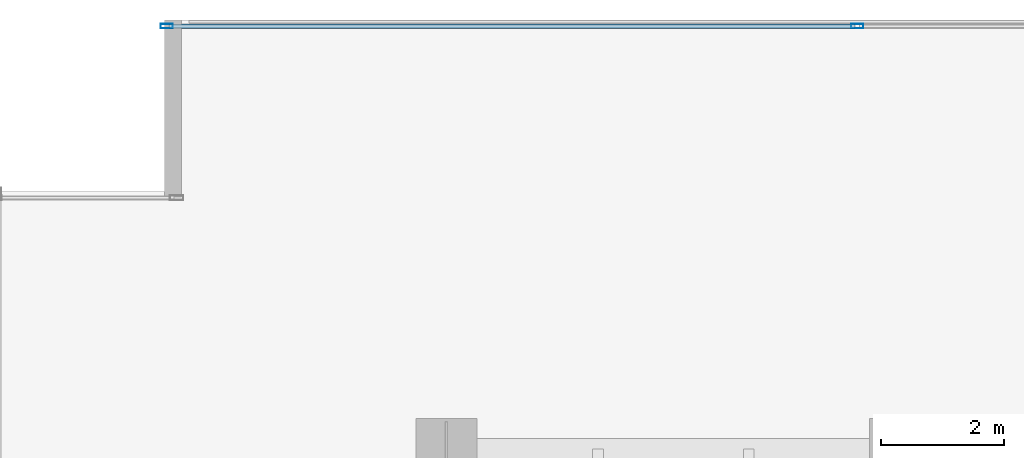
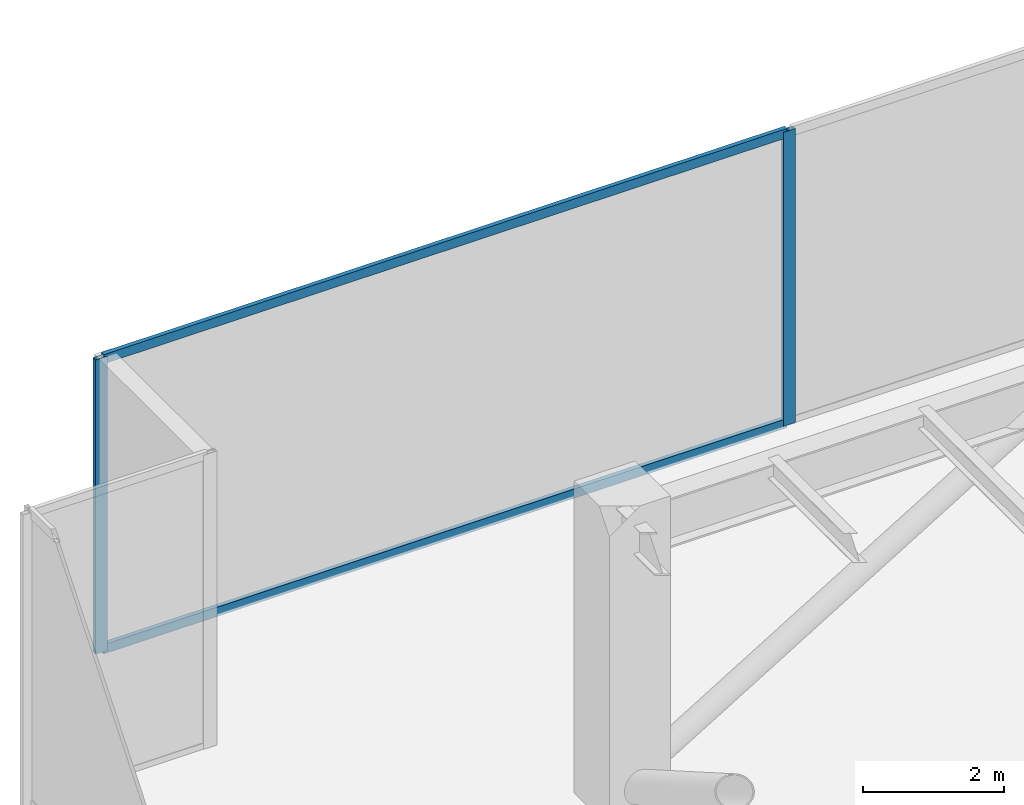
# One storey, part 15 of 38: 4 members, 1 element without a shape of its own.
"""IFC4 building model written with IfcOpenShell, lengths in metres."""

from ifc_helpers import new_model, si_unit, direction, frame, origin, origin_2d, place, context, subcontext, project, spatial, hollow_rectangle, extrude, source, transform, mapped, material, layer, layer_set, material_profile, profile_set, type_object, type_shapes, element, aggregate, save


model = new_model("IFC4")

# Units and contexts
model_context = context("Model", 3, precision=1e-05, world=origin(), true_north=direction((0.0, 1.0)))
body_context = subcontext(model_context, "Body", "Model", "MODEL_VIEW")
ifc_project = project(units=[si_unit("LENGTHUNIT", "METRE"), si_unit("AREAUNIT", "SQUARE_METRE"), si_unit("VOLUMEUNIT", "CUBIC_METRE"), si_unit("PLANEANGLEUNIT", "RADIAN"), si_unit("MASSUNIT", "GRAM", prefix="KILO")], contexts=[model_context])

# Site, building, storey
site_placement = place(None, origin())
site = spatial("IfcSite", under=ifc_project, at=site_placement, CompositionType="ELEMENT")
building_placement = place(site_placement, origin())
building = spatial("IfcBuilding", under=site, at=building_placement, Name="Haelvirn Gate Laboratories", CompositionType="ELEMENT")
storey_placement = place(building_placement, frame((0.0, 0.0, 94.89990234375)))
storey = spatial("IfcBuildingStorey", under=building, at=storey_placement, Name="L23", CompositionType="ELEMENT", Elevation=94.89990234375)

# Curtain wall, members
ifc_material_1 = material(Name="Anodised bronze unitised aluminium & triple low-E glass", Category="aluminium")
ifc_layer = layer(ifc_material_1, 0.18408203125, Name="CW-SYS-2")
ifc_layer_set = layer_set([ifc_layer], Name="Anodised bronze unitised aluminium & triple low-E glass")
curtain_wall_type = type_object("IfcCurtainWallType", Name="CW-SYS-2", PredefinedType="NOTDEFINED", material=ifc_layer_set)
curtain_wall_placement = place(storey_placement, origin())
curtain_wall = element("IfcCurtainWall", 1, at=curtain_wall_placement, inside=storey, type_object=curtain_wall_type, Name="L23 Unitised Curtain Wall CW-L23-P0-E14-1", PredefinedType="NOTDEFINED")
ifc_material_2 = material(Name="Extruded aluminium 6063-T6 (anodised bronze)", Category="aluminium")
ifc_material_profile_1 = material_profile(ifc_material_2, hollow_rectangle(XDim=0.070068359375, YDim=0.159912109375, WallThickness=0.0048828125, at=origin_2d()), Name="CWT-160x70x5")
ifc_profile_set_1 = profile_set([ifc_material_profile_1], Name="Extruded aluminium 6063-T6 (anodised bronze)")
member_type_1 = type_object("IfcMemberType", Name="CWT-T160", PredefinedType="USERDEFINED", material=ifc_profile_set_1)
shared_shape_1 = source(origin(), body_context, "Body", "SweptSolid", [
    extrude(hollow_rectangle(XDim=0.070068359375, YDim=0.159912109375, WallThickness=0.0048828125, at=origin_2d()), origin(), (0.0, 0.0, 1.0), 11.1875),
])
type_shapes(member_type_1, [shared_shape_1])
member_1_placement = place(storey_placement, frame((2.875, 48.5, 0.03515625), z_axis=(1.0, 0.0, 0.0), x_axis=(0.0, 1.0, 0.0)))
member_1 = element("IfcMember", 2, at=member_1_placement, type_object=member_type_1, Name="CW2 transom 1.1", ObjectType="TRANSOM", PredefinedType="USERDEFINED", context=body_context, shape_type="MappedRepresentation", body=[
    mapped(shared_shape_1, transform((0.0, 0.0, 0.0), scale=1.0)),
])
member_2_placement = place(storey_placement, frame((2.875, 48.5, 5.05517578125), z_axis=(1.0, 0.0, 0.0), x_axis=(0.0, 1.0, 0.0)))
member_2 = element("IfcMember", 3, at=member_2_placement, type_object=member_type_1, Name="CW2 transom 1.2", ObjectType="TRANSOM", PredefinedType="USERDEFINED", context=body_context, shape_type="MappedRepresentation", body=[
    mapped(shared_shape_1, transform((0.0, 0.0, 0.0), scale=1.0)),
])
ifc_material_profile_2 = material_profile(ifc_material_2, hollow_rectangle(XDim=0.074951171875, YDim=0.199951171875, WallThickness=0.0048828125, at=origin_2d()), Name="CWM-200x75x5")
ifc_profile_set_2 = profile_set([ifc_material_profile_2], Name="Extruded aluminium 6063-T6 (anodised bronze)")
member_type_2 = type_object("IfcMemberType", Name="CWM-T200", PredefinedType="MULLION", material=ifc_profile_set_2)
shared_shape_2 = source(origin(), body_context, "Body", "SweptSolid", [
    extrude(hollow_rectangle(XDim=0.074951171875, YDim=0.199951171875, WallThickness=0.0048828125, at=origin_2d()), origin(), (0.0, 0.0, 1.0), 5.090087890625),
])
type_shapes(member_type_2, [shared_shape_2])
member_3_placement = place(storey_placement, frame((2.83740234375, 48.5, 0.0), z_axis=(0.0, 0.0, 1.0), x_axis=(0.0, 1.0, 0.0)))
member_3 = element("IfcMember", 4, at=member_3_placement, type_object=member_type_2, Name="CW2 mullion 1", PredefinedType="MULLION", context=body_context, shape_type="MappedRepresentation", body=[
    mapped(shared_shape_2, transform((0.0, 0.0, 0.0), scale=1.0)),
])
member_4_placement = place(storey_placement, frame((14.10009765625, 48.5, 0.0), z_axis=(0.0, 0.0, 1.0), x_axis=(0.0, 1.0, 0.0)))
member_4 = element("IfcMember", 5, at=member_4_placement, type_object=member_type_2, Name="CW2 mullion 2", PredefinedType="MULLION", context=body_context, shape_type="MappedRepresentation", body=[
    mapped(shared_shape_2, transform((0.0, 0.0, 0.0), scale=1.0)),
])
aggregate(curtain_wall, [member_3, member_4, member_1, member_2])

save(model, "model.ifc")
